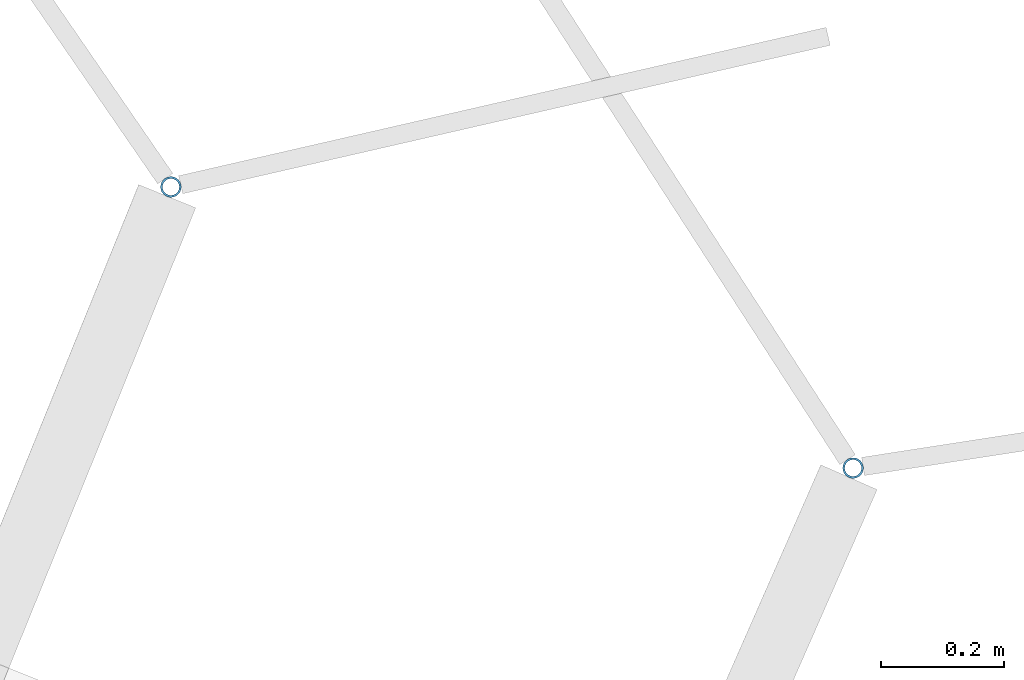
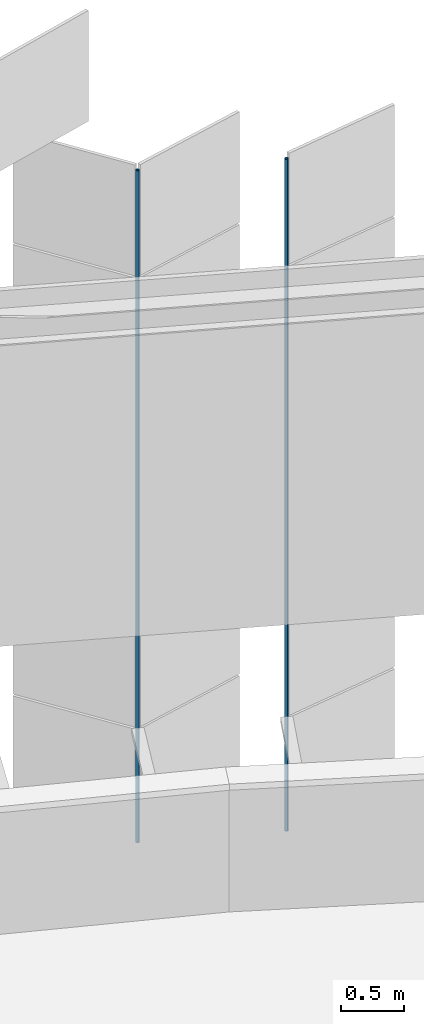
# One storey, part 399 of 483: 2 discrete accessories.
"""IFC4 building model written with IfcOpenShell, lengths in metres."""

from ifc_helpers import new_model, si_unit, direction, frame, origin, origin_2d, place, context, subcontext, project, spatial, hollow_circle, extrude, material, material_profile, profile_set, type_object, element, save


model = new_model("IFC4")

# Units and contexts
model_context = context("Model", 3, precision=1e-05, world=origin(), true_north=direction((0.0, 1.0)))
body_context = subcontext(model_context, "Body", "Model", "MODEL_VIEW")
ifc_project = project(units=[si_unit("LENGTHUNIT", "METRE"), si_unit("AREAUNIT", "SQUARE_METRE"), si_unit("VOLUMEUNIT", "CUBIC_METRE"), si_unit("PLANEANGLEUNIT", "RADIAN"), si_unit("MASSUNIT", "GRAM", prefix="KILO")], contexts=[model_context])

# Site, building, storey
site_placement = place(None, origin())
site = spatial("IfcSite", under=ifc_project, at=site_placement, CompositionType="ELEMENT")
building_placement = place(site_placement, origin())
building = spatial("IfcBuilding", under=site, at=building_placement, Name="Parallax Yard Mobility Hub", CompositionType="ELEMENT")
storey_placement = place(building_placement, frame((0.0, 0.0, 13.199951171875)))
storey = spatial("IfcBuildingStorey", under=building, at=storey_placement, Name="L04", CompositionType="ELEMENT", Elevation=13.199951171875)

# Discrete accessories
ifc_material = material(Name="Steel ASTM A500 Gr C, hot-dip galvanised", Category="steel")
ifc_material_profile = material_profile(ifc_material, hollow_circle(Radius=0.016845703125, WallThickness=0.003173828125, at=origin_2d()), Name="CHS 33.7x3.2")
ifc_profile_set = profile_set([ifc_material_profile], Name="Steel ASTM A500 Gr C, hot-dip galvanised")
discrete_accessory_type = type_object("IfcDiscreteAccessoryType", Name="Hinge post CHS 33.7x3.2", PredefinedType="BRACKET", material=ifc_profile_set)
for number, where, z_axis, x_axis, name in (
    (1, (193.461181640625, 139.0283203125, 0.0), (0.0, 0.0, 1.0), (1.0, 0.0, 0.0), "Hinge post bay 48.4 level L04"),
    (2, (192.35205078125, 139.4853515625, 0.0), (0.0, 0.0, 1.0), (1.0, 0.0, 0.0), "Hinge post bay 48.5 level L04"),
):
    element("IfcDiscreteAccessory", number, at=place(storey_placement, frame(where, z_axis=z_axis, x_axis=x_axis)), inside=storey, type_object=discrete_accessory_type, Name=name, PredefinedType="BRACKET", context=body_context, shape_type="SweptSolid", body=[
        extrude(hollow_circle(Radius=0.016845703125, WallThickness=0.003173828125, at=origin_2d()), origin(), (0.0, 0.0, 1.0), 6.550048828125),
    ])

save(model, "model.ifc")
